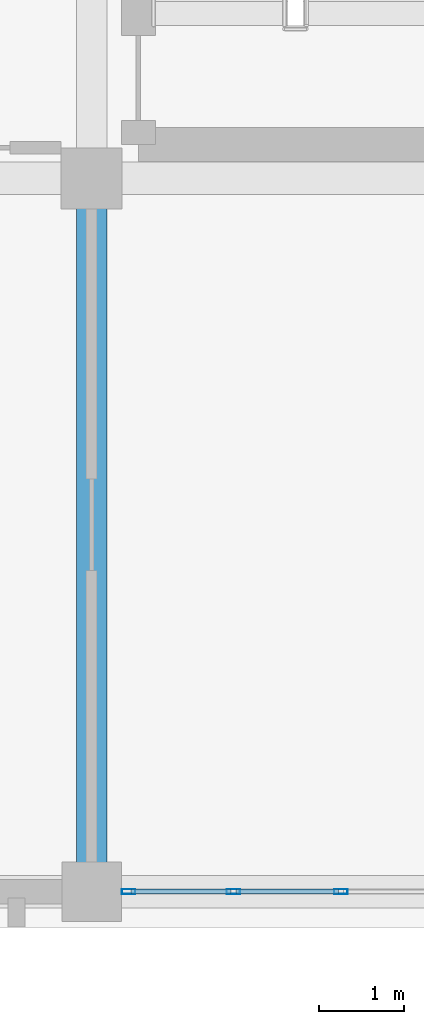
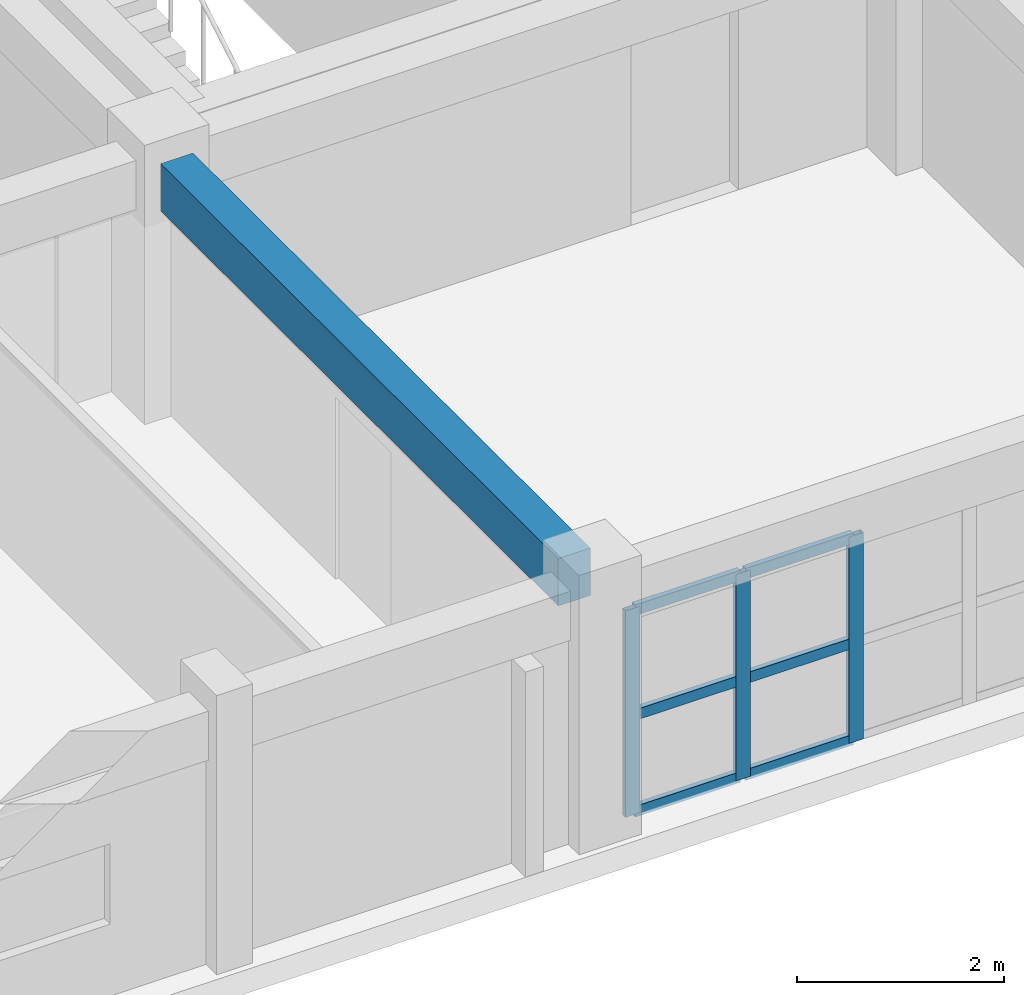
# One storey, part 24 of 148: 9 members, 1 beam, 1 element without a shape of its own.
"""IFC4 building model written with IfcOpenShell, lengths in metres."""

from ifc_helpers import new_model, si_unit, direction, frame, origin, origin_2d, place, context, subcontext, project, spatial, rectangle, hollow_rectangle, extrude, material, layer, layer_set, material_profile, profile_set, type_object, element, aggregate, save


model = new_model("IFC4")

# Units and contexts
model_context = context("Model", 3, precision=1e-05, world=origin(), true_north=direction((0.0, 1.0)))
body_context = subcontext(model_context, "Body", "Model", "MODEL_VIEW")
ifc_project = project(units=[si_unit("LENGTHUNIT", "METRE"), si_unit("AREAUNIT", "SQUARE_METRE"), si_unit("VOLUMEUNIT", "CUBIC_METRE"), si_unit("PLANEANGLEUNIT", "RADIAN"), si_unit("MASSUNIT", "GRAM", prefix="KILO")], contexts=[model_context])

# Site, building, storey
site_placement = place(None, origin())
site = spatial("IfcSite", under=ifc_project, at=site_placement, CompositionType="ELEMENT")
building_placement = place(site_placement, origin())
building = spatial("IfcBuilding", under=site, at=building_placement, Name="Trelvath General Hospital", CompositionType="ELEMENT")
storey_placement = place(building_placement, frame((0.0, 0.0, 12.89990234375)))
storey = spatial("IfcBuildingStorey", under=building, at=storey_placement, Name="L03", CompositionType="ELEMENT", Elevation=12.89990234375)

# Beam
ifc_material_1 = material(Name="Concrete C35/45", Category="concrete")
ifc_material_profile_1 = material_profile(ifc_material_1, rectangle(XDim=0.360107421875, YDim=0.56005859375, at=origin_2d()), Name="RCB360x560")
ifc_profile_set_1 = profile_set([ifc_material_profile_1], Name="Concrete C35/45")
beam_type = type_object("IfcBeamType", Name="Beam RC360x560", PredefinedType="BEAM", material=ifc_profile_set_1)
beam_placement = place(storey_placement, frame((92.39990234375, 0.344970703125, 2.739990234375), z_axis=(0.0, 1.0, 0.0), x_axis=(-1.0, 0.0, 0.0)))
element("IfcBeam", 1, at=beam_placement, inside=storey, type_object=beam_type, Name="Grid Beam BY-311A", PredefinedType="BEAM", context=body_context, shape_type="SweptSolid", body=[
    extrude(rectangle(XDim=0.360107421875, YDim=0.56005859375, at=origin_2d()), origin(), (0.0, 0.0, 1.0), 7.699951171875),
])

# Curtain wall, members
ifc_material_2 = material(Name="Anodised aluminium and low-E glass", Category="aluminium")
ifc_layer = layer(ifc_material_2, 0.159912109375)
ifc_layer_set = layer_set([ifc_layer], Name="Anodised aluminium and low-E glass")
curtain_wall_type = type_object("IfcCurtainWallType", Name="CW Facade 759 244 16", PredefinedType="USERDEFINED", material=ifc_layer_set)
curtain_wall_placement = place(storey_placement, origin())
curtain_wall = element("IfcCurtainWall", 2, at=curtain_wall_placement, inside=storey, type_object=curtain_wall_type, Name="Facade Curtain Wall CW-060", ObjectType="Unitised Glazed Curtain Wall", PredefinedType="USERDEFINED")
ifc_material_3 = material(Name="Anodised aluminium", Category="aluminium")
ifc_material_profile_2 = material_profile(ifc_material_3, hollow_rectangle(XDim=0.06005859375, YDim=0.159912109375, WallThickness=0.00390625, at=origin_2d()), Name="RHS60x160x4")
ifc_profile_set_2 = profile_set([ifc_material_profile_2], Name="Anodised aluminium")
member_type_1 = type_object("IfcMemberType", Name="CurtainMullion 60x160", PredefinedType="MULLION", material=ifc_profile_set_2)
member_1_placement = place(storey_placement, frame((95.3349609375, 0.0, 0.0), z_axis=(0.0, 0.0, 1.0), x_axis=(0.0, -1.0, 0.0)))
member_1 = element("IfcMember", 3, at=member_1_placement, type_object=member_type_1, Name="CW-060 mullion 5", PredefinedType="MULLION", context=body_context, shape_type="SweptSolid", body=[
    extrude(hollow_rectangle(XDim=0.06005859375, YDim=0.159912109375, WallThickness=0.00390625, at=origin_2d()), origin(), (0.0, 0.0, 1.0), 2.440185546875),
])
member_2_placement = place(storey_placement, frame((94.070068359375, 0.0, 0.0), z_axis=(0.0, 0.0, 1.0), x_axis=(0.0, -1.0, 0.0)))
member_2 = element("IfcMember", 4, at=member_2_placement, type_object=member_type_1, Name="CW-060 mullion 6", PredefinedType="MULLION", context=body_context, shape_type="SweptSolid", body=[
    extrude(hollow_rectangle(XDim=0.06005859375, YDim=0.159912109375, WallThickness=0.00390625, at=origin_2d()), origin(), (0.0, 0.0, 1.0), 2.440185546875),
])
member_3_placement = place(storey_placement, frame((92.8349609375, 0.0, 0.0), z_axis=(0.0, 0.0, 1.0), x_axis=(0.0, -1.0, 0.0)))
member_3 = element("IfcMember", 5, at=member_3_placement, type_object=member_type_1, Name="CW-060 mullion 7", PredefinedType="MULLION", context=body_context, shape_type="SweptSolid", body=[
    extrude(hollow_rectangle(XDim=0.06005859375, YDim=0.159912109375, WallThickness=0.00390625, at=origin_2d()), origin(), (0.0, 0.0, 1.0), 2.440185546875),
])
ifc_material_4 = material(Name="Anodised aluminium", Category="aluminium")
ifc_material_profile_3 = material_profile(ifc_material_4, hollow_rectangle(XDim=0.06005859375, YDim=0.125, WallThickness=0.00390625, at=origin_2d()), Name="RHS60x125x4")
ifc_profile_set_3 = profile_set([ifc_material_profile_3], Name="Anodised aluminium")
member_type_2 = type_object("IfcMemberType", Name="CurtainTransom 60x125", PredefinedType="USERDEFINED", material=ifc_profile_set_3)
member_4_placement = place(storey_placement, frame((95.304931640625, 0.0, 0.030029296875), z_axis=(-1.0, 0.0, 0.0), x_axis=(0.0, -1.0, 0.0)))
member_4 = element("IfcMember", 6, at=member_4_placement, type_object=member_type_2, Name="CW-060 transom 5.1", ObjectType="TRANSOM", PredefinedType="USERDEFINED", context=body_context, shape_type="SweptSolid", body=[
    extrude(hollow_rectangle(XDim=0.06005859375, YDim=0.125, WallThickness=0.00390625, at=origin_2d()), origin(), (0.0, 0.0, 1.0), 1.204833984375),
])
member_5_placement = place(storey_placement, frame((95.304931640625, 0.0, 1.171142578125), z_axis=(-1.0, 0.0, 0.0), x_axis=(0.0, -1.0, 0.0)))
member_5 = element("IfcMember", 7, at=member_5_placement, type_object=member_type_2, Name="CW-060 transom 5.2", ObjectType="TRANSOM", PredefinedType="USERDEFINED", context=body_context, shape_type="SweptSolid", body=[
    extrude(hollow_rectangle(XDim=0.06005859375, YDim=0.125, WallThickness=0.00390625, at=origin_2d()), origin(), (0.0, 0.0, 1.0), 1.204833984375),
])
member_6_placement = place(storey_placement, frame((95.304931640625, 0.0, 2.41015625), z_axis=(-1.0, 0.0, 0.0), x_axis=(0.0, -1.0, 0.0)))
member_6 = element("IfcMember", 8, at=member_6_placement, type_object=member_type_2, Name="CW-060 transom 5.3", ObjectType="TRANSOM", PredefinedType="USERDEFINED", context=body_context, shape_type="SweptSolid", body=[
    extrude(hollow_rectangle(XDim=0.06005859375, YDim=0.125, WallThickness=0.00390625, at=origin_2d()), origin(), (0.0, 0.0, 1.0), 1.204833984375),
])
member_7_placement = place(storey_placement, frame((94.0400390625, 0.0, 0.030029296875), z_axis=(-1.0, 0.0, 0.0), x_axis=(0.0, -1.0, 0.0)))
member_7 = element("IfcMember", 9, at=member_7_placement, type_object=member_type_2, Name="CW-060 transom 6.1", ObjectType="TRANSOM", PredefinedType="USERDEFINED", context=body_context, shape_type="SweptSolid", body=[
    extrude(hollow_rectangle(XDim=0.06005859375, YDim=0.125, WallThickness=0.00390625, at=origin_2d()), origin(), (0.0, 0.0, 1.0), 1.175048828125),
])
member_8_placement = place(storey_placement, frame((94.0400390625, 0.0, 1.171142578125), z_axis=(-1.0, 0.0, 0.0), x_axis=(0.0, -1.0, 0.0)))
member_8 = element("IfcMember", 10, at=member_8_placement, type_object=member_type_2, Name="CW-060 transom 6.2", ObjectType="TRANSOM", PredefinedType="USERDEFINED", context=body_context, shape_type="SweptSolid", body=[
    extrude(hollow_rectangle(XDim=0.06005859375, YDim=0.125, WallThickness=0.00390625, at=origin_2d()), origin(), (0.0, 0.0, 1.0), 1.175048828125),
])
member_9_placement = place(storey_placement, frame((94.0400390625, 0.0, 2.41015625), z_axis=(-1.0, 0.0, 0.0), x_axis=(0.0, -1.0, 0.0)))
member_9 = element("IfcMember", 11, at=member_9_placement, type_object=member_type_2, Name="CW-060 transom 6.3", ObjectType="TRANSOM", PredefinedType="USERDEFINED", context=body_context, shape_type="SweptSolid", body=[
    extrude(hollow_rectangle(XDim=0.06005859375, YDim=0.125, WallThickness=0.00390625, at=origin_2d()), origin(), (0.0, 0.0, 1.0), 1.175048828125),
])
aggregate(curtain_wall, [member_1, member_2, member_3, member_4, member_5, member_6, member_7, member_8, member_9])

save(model, "model.ifc")
